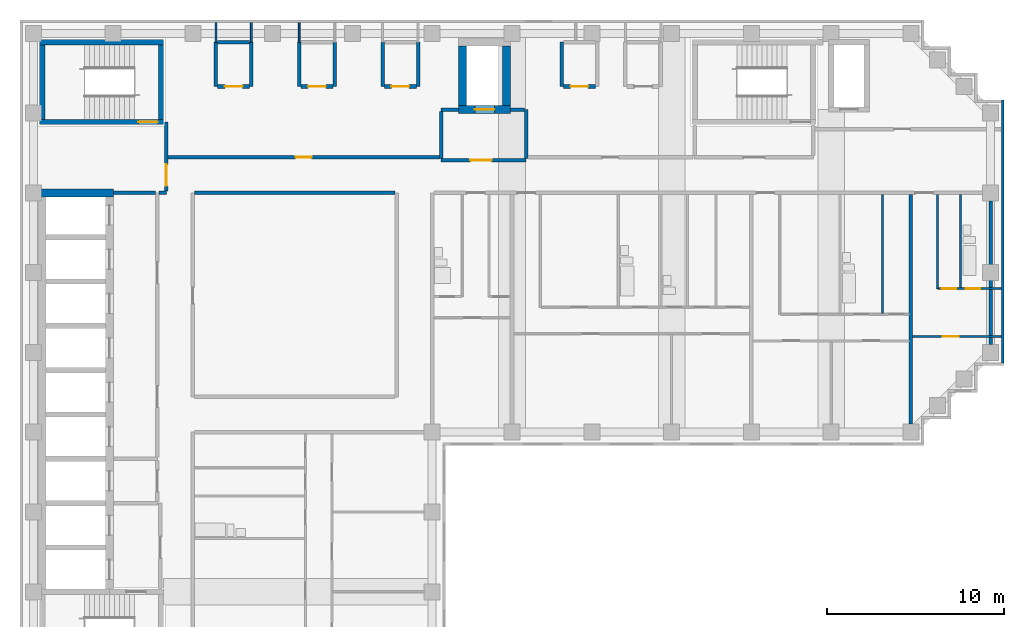
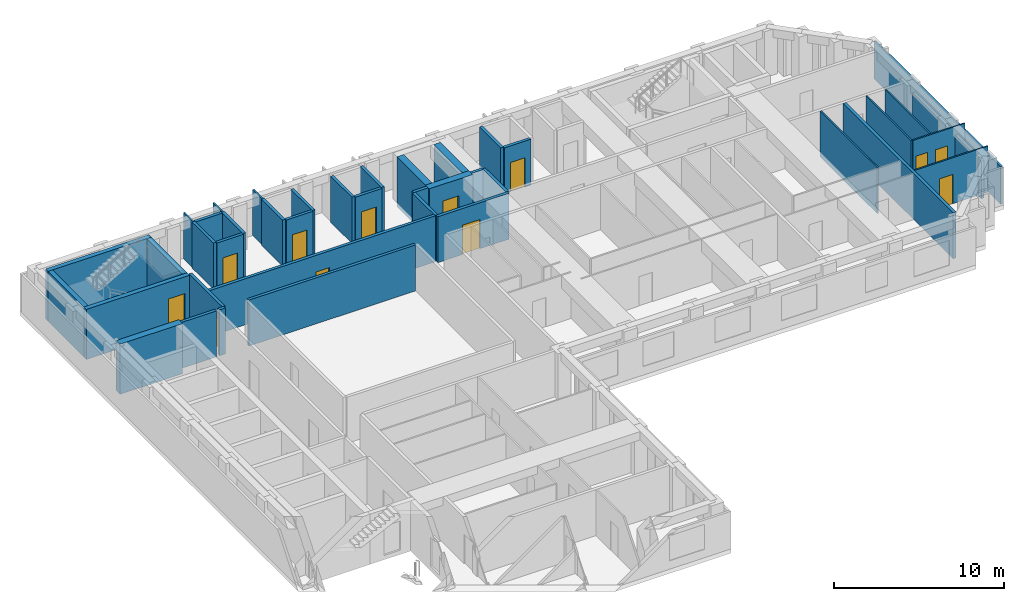
# One storey, part 5 of 9: 41 walls, 12 doors, 12 openings.
"""IFC4 building model written with IfcOpenShell, lengths in metres."""

from ifc_helpers import new_model, si_unit, direction, frame, frame_2d, origin, place, context, subcontext, project, spatial, rectangle, extrude, material, layer, layer_set, type_object, element, fill, save


model = new_model("IFC4")

# Units and contexts
model_context = context("Model", 3, precision=1e-05, world=origin(), true_north=direction((0.0, 1.0)))
body_context = subcontext(model_context, "Body", "Model", "MODEL_VIEW")
ifc_project = project(units=[si_unit("LENGTHUNIT", "METRE"), si_unit("AREAUNIT", "SQUARE_METRE"), si_unit("VOLUMEUNIT", "CUBIC_METRE"), si_unit("PLANEANGLEUNIT", "RADIAN"), si_unit("MASSUNIT", "GRAM", prefix="KILO")], contexts=[model_context])

# Site, building, storey
site_placement = place(None, origin())
site = spatial("IfcSite", under=ifc_project, at=site_placement, CompositionType="ELEMENT")
building_placement = place(site_placement, origin())
building = spatial("IfcBuilding", under=site, at=building_placement, Name="Firuza Court", CompositionType="ELEMENT")
storey_placement = place(building_placement, frame((0.0, 0.0, 218.60009765625)))
storey = spatial("IfcBuildingStorey", under=building, at=storey_placement, Name="L56", CompositionType="ELEMENT", Elevation=218.60009765625)

# Walls
ifc_material_1 = material(Name="Moisture-resistant gypsum board partition")
ifc_layer_1 = layer(ifc_material_1, 0.10009765625)
ifc_layer_set_1 = layer_set([ifc_layer_1], Name="Moisture-resistant gypsum board partition")
wall_type_1 = type_object("IfcWallType", Name="Bathroom partition 100", PredefinedType="PLUMBINGWALL", material=ifc_layer_set_1)
wall_1_placement = place(storey_placement, frame((47.89990234375, 42.699951171875, 0.0), z_axis=(0.0, 0.0, 1.0), x_axis=(0.0, 1.0, 0.0)))
element("IfcWall", 1, at=wall_1_placement, inside=storey, type_object=wall_type_1, Name="Bathroom partition 100 L56", PredefinedType="PLUMBINGWALL", context=body_context, shape_type="SweptSolid", body=[
    extrude(rectangle(XDim=6.699951171875, YDim=0.10009765625, at=frame_2d((3.35009765625, 0.0))), origin(), (0.0, 0.0, 1.0), 3.2998046875),
])
wall_2_placement = place(storey_placement, frame((52.300048828125, 44.14990234375, 0.0), z_axis=(0.0, 0.0, 1.0), x_axis=(0.0, 1.0, 0.0)))
element("IfcWall", 2, at=wall_2_placement, inside=storey, type_object=wall_type_1, Name="Bathroom partition 100 L56", PredefinedType="PLUMBINGWALL", context=body_context, shape_type="SweptSolid", body=[
    extrude(rectangle(XDim=5.25, YDim=0.10009765625, at=frame_2d((2.625, 0.0))), origin(), (0.0, 0.0, 1.0), 3.2998046875),
])

# Wall, opening, door
ifc_material_2 = material(Name="Concrete C50/60", Category="concrete")
ifc_layer_2 = layer(ifc_material_2, 0.300048828125)
ifc_layer_set_2 = layer_set([ifc_layer_2], Name="Concrete C50/60")
wall_type_2 = type_object("IfcWallType", Name="Core wall 300 C50/60", PredefinedType="SHEAR", material=ifc_layer_set_2)
wall_3_placement = place(storey_placement, frame((0.35009765625, 53.5, -0.300048828125), z_axis=(0.0, 0.0, 1.0), x_axis=(1.0, 0.0, 0.0)))
wall_3 = element("IfcWall", 3, at=wall_3_placement, inside=storey, type_object=wall_type_2, Name="Core wall stair L56", PredefinedType="SHEAR", context=body_context, shape_type="SweptSolid", body=[
    extrude(rectangle(XDim=7.0, YDim=0.300048828125, at=frame_2d((3.5, 0.0))), origin(), (0.0, 0.0, 1.0), 3.599853515625),
])
opening_1_placement = place(wall_3_placement, frame((5.580078125, 0.0, 0.300048828125)))
opening_1 = element("IfcOpeningElement", 4, at=opening_1_placement, cuts=wall_3, Name="Opening D56012", PredefinedType="OPENING", context=body_context, shape_type="SweptSolid", body=[
    extrude(rectangle(XDim=1.10009765625, YDim=2.10009765625, at=frame_2d((0.550048828125, 1.050048828125))), frame((0.0, 0.162109375, 0.0), z_axis=(0.0, -1.0, 0.0), x_axis=(1.0, 0.0, 0.0)), (0.0, 0.0, 1.0), 0.323974609375),
])
ifc_material_3 = material(Name="Timber door leaf in hardwood frame", Category="wood")
door_type_1 = type_object("IfcDoorType", Name="Stair door 1100", OperationType="SINGLE_SWING_LEFT", PredefinedType="DOOR", material=ifc_material_3)
door_1_placement = place(opening_1_placement, origin())
door_1 = element("IfcDoor", 5, at=door_1_placement, inside=storey, type_object=door_type_1, Name="Stair door S3", OperationType="SINGLE_SWING_RIGHT", OverallHeight=2.10009765625, OverallWidth=1.10009765625, PredefinedType="DOOR", context=body_context, shape_type="SweptSolid", body=[
    extrude(rectangle(XDim=1.10009765625, YDim=2.10009765625, at=frame_2d((0.550048828125, 1.050048828125))), frame((0.0, 0.02490234375, 0.0), z_axis=(0.0, -1.0, 0.0), x_axis=(1.0, 0.0, 0.0)), (0.0, 0.0, 1.0), 0.050048828125),
])
fill(opening_1, door_1)

# Walls
wall_4_placement = place(storey_placement, frame((0.35009765625, 58.0, -0.300048828125), z_axis=(0.0, 0.0, 1.0), x_axis=(1.0, 0.0, 0.0)))
element("IfcWall", 6, at=wall_4_placement, inside=storey, type_object=wall_type_2, Name="Core wall stair L56", PredefinedType="SHEAR", context=body_context, shape_type="SweptSolid", body=[
    extrude(rectangle(XDim=7.0, YDim=0.300048828125, at=frame_2d((3.5, 0.0))), origin(), (0.0, 0.0, 1.0), 3.599853515625),
])
for number, where, z_axis, x_axis, name in (
    (7, (0.5, 53.64990234375, -0.300048828125), (0.0, 0.0, 1.0), (0.0, 1.0, 0.0), "Core wall stair L56"),
    (8, (7.199951171875, 53.64990234375, -0.300048828125), (0.0, 0.0, 1.0), (0.0, 1.0, 0.0), "Core wall stair L56"),
):
    element("IfcWall", number, at=place(storey_placement, frame(where, z_axis=z_axis, x_axis=x_axis)), inside=storey, type_object=wall_type_2, Name=name, PredefinedType="SHEAR", context=body_context, shape_type="SweptSolid", body=[
        extrude(rectangle(XDim=4.2001953125, YDim=0.300048828125, at=frame_2d((2.10009765625, 0.0))), origin(), (0.0, 0.0, 1.0), 3.599853515625),
    ])
ifc_layer_3 = layer(ifc_material_2, 0.449951171875)
ifc_layer_set_3 = layer_set([ifc_layer_3], Name="Concrete C50/60")
wall_type_3 = type_object("IfcWallType", Name="Core wall 450 C50/60", PredefinedType="SHEAR", material=ifc_layer_set_3)
wall_5_placement = place(storey_placement, frame((0.27490234375, 49.5, -0.300048828125), z_axis=(0.0, 0.0, 1.0), x_axis=(1.0, 0.0, 0.0)))
element("IfcWall", 9, at=wall_5_placement, inside=storey, type_object=wall_type_3, Name="Core wall lift shaft L56", PredefinedType="SHEAR", context=body_context, shape_type="SweptSolid", body=[
    extrude(rectangle(XDim=4.25, YDim=0.449951171875, at=frame_2d((2.125, 0.0))), origin(), (0.0, 0.0, 1.0), 3.599853515625),
])

# Wall, opening, door
wall_6_placement = place(storey_placement, frame((23.97509765625, 54.199951171875, -0.300048828125), z_axis=(0.0, 0.0, 1.0), x_axis=(1.0, 0.0, 0.0)))
wall_6 = element("IfcWall", 10, at=wall_6_placement, inside=storey, type_object=wall_type_3, Name="Core wall lift shaft L56", PredefinedType="SHEAR", context=body_context, shape_type="SweptSolid", body=[
    extrude(rectangle(XDim=2.949951171875, YDim=0.449951171875, at=frame_2d((1.47509765625, 0.0))), origin(), (0.0, 0.0, 1.0), 3.599853515625),
])
opening_2_placement = place(wall_6_placement, frame((0.925048828125, 0.0, 0.300048828125)))
opening_2 = element("IfcOpeningElement", 11, at=opening_2_placement, cuts=wall_6, Name="Opening LD-FL3-56", PredefinedType="OPENING", context=body_context, shape_type="SweptSolid", body=[
    extrude(rectangle(XDim=1.10009765625, YDim=2.10009765625, at=frame_2d((0.550048828125, 1.050048828125))), frame((0.0, 0.23681640625, 0.0), z_axis=(0.0, -1.0, 0.0), x_axis=(1.0, 0.0, 0.0)), (0.0, 0.0, 1.0), 0.473876953125),
])
ifc_material_4 = material(Name="Stainless steel 1.4301 door leaf", Category="steel")
door_type_2 = type_object("IfcDoorType", Name="Lift landing door 1100", OperationType="SLIDING_TO_LEFT", PredefinedType="DOOR", material=ifc_material_4)
door_2_placement = place(opening_2_placement, origin())
door_2 = element("IfcDoor", 12, at=door_2_placement, inside=storey, type_object=door_type_2, Name="Landing door FL3", OperationType="SLIDING_TO_LEFT", OverallHeight=2.10009765625, OverallWidth=1.10009765625, PredefinedType="DOOR", context=body_context, shape_type="SweptSolid", body=[
    extrude(rectangle(XDim=1.10009765625, YDim=2.10009765625, at=frame_2d((0.550048828125, 1.050048828125))), frame((0.0, 0.02490234375, 0.0), z_axis=(0.0, -1.0, 0.0), x_axis=(1.0, 0.0, 0.0)), (0.0, 0.0, 1.0), 0.050048828125),
])
fill(opening_2, door_2)

# Walls
for number, where, z_axis, x_axis, name in (
    (13, (24.199951171875, 54.425048828125, -0.300048828125), (0.0, 0.0, 1.0), (0.0, 1.0, 0.0), "Core wall lift shaft L56"),
    (14, (26.699951171875, 54.425048828125, -0.300048828125), (0.0, 0.0, 1.0), (0.0, 1.0, 0.0), "Core wall lift shaft L56"),
):
    element("IfcWall", number, at=place(storey_placement, frame(where, z_axis=z_axis, x_axis=x_axis)), inside=storey, type_object=wall_type_3, Name=name, PredefinedType="SHEAR", context=body_context, shape_type="SweptSolid", body=[
        extrude(rectangle(XDim=3.349853515625, YDim=0.449951171875, at=frame_2d((1.6748046875, 0.0))), origin(), (0.0, 0.0, 1.0), 3.599853515625),
    ])
ifc_material_5 = material(Name="Blockwork, plastered both sides", Category="masonry")
ifc_layer_4 = layer(ifc_material_5, 0.199951171875)
ifc_layer_set_4 = layer_set([ifc_layer_4], Name="Blockwork, plastered both sides")
wall_type_4 = type_object("IfcWallType", Name="Corridor wall 200", PredefinedType="PARTITIONING", material=ifc_layer_set_4)
wall_7_placement = place(storey_placement, frame((9.10009765625, 49.5, 0.0), z_axis=(0.0, 0.0, 1.0), x_axis=(1.0, 0.0, 0.0)))
element("IfcWall", 15, at=wall_7_placement, inside=storey, type_object=wall_type_4, Name="Corridor wall 200 L56", PredefinedType="PARTITIONING", context=body_context, shape_type="SweptSolid", body=[
    extrude(rectangle(XDim=11.2998046875, YDim=0.199951171875, at=frame_2d((5.64990234375, 0.0))), origin(), (0.0, 0.0, 1.0), 3.2998046875),
])

# Wall, opening, door
wall_8_placement = place(storey_placement, frame((7.60009765625, 51.5, 0.0), z_axis=(0.0, 0.0, 1.0), x_axis=(1.0, 0.0, 0.0)))
wall_8 = element("IfcWall", 16, at=wall_8_placement, inside=storey, type_object=wall_type_4, Name="Corridor wall 200 L56", PredefinedType="PARTITIONING", context=body_context, shape_type="SweptSolid", body=[
    extrude(rectangle(XDim=15.2998046875, YDim=0.199951171875, at=frame_2d((7.64990234375, 0.0))), origin(), (0.0, 0.0, 1.0), 3.2998046875),
])
opening_3_placement = place(wall_8_placement, frame((7.199951171875, 0.0, 0.0)))
opening_3 = element("IfcOpeningElement", 17, at=opening_3_placement, cuts=wall_8, Name="Opening D56049", PredefinedType="OPENING", context=body_context, shape_type="SweptSolid", body=[
    extrude(rectangle(XDim=0.89990234375, YDim=2.10009765625, at=frame_2d((0.449951171875, 1.050048828125))), frame((0.0, 0.11181640625, 0.0), z_axis=(0.0, -1.0, 0.0), x_axis=(1.0, 0.0, 0.0)), (0.0, 0.0, 1.0), 0.223876953125),
])
ifc_material_6 = material(Name="Timber door leaf in hardwood frame", Category="wood")
door_type_3 = type_object("IfcDoorType", Name="Room door 900 EI 30", OperationType="SINGLE_SWING_LEFT", PredefinedType="DOOR", material=ifc_material_6)
door_3_placement = place(opening_3_placement, origin())
door_3 = element("IfcDoor", 18, at=door_3_placement, inside=storey, type_object=door_type_3, Name="Residents' workroom door", OperationType="SINGLE_SWING_LEFT", OverallHeight=2.10009765625, OverallWidth=0.89990234375, PredefinedType="DOOR", context=body_context, shape_type="SweptSolid", body=[
    extrude(rectangle(XDim=0.89990234375, YDim=2.10009765625, at=frame_2d((0.449951171875, 1.050048828125))), frame((0.0, 0.02490234375, 0.0), z_axis=(0.0, -1.0, 0.0), x_axis=(1.0, 0.0, 0.0)), (0.0, 0.0, 1.0), 0.050048828125),
])
fill(opening_3, door_3)

ifc_material_7 = material(Name="Timber stud partition, plasterboard both sides", Category="wood")
ifc_layer_5 = layer(ifc_material_7, 0.10009765625)
ifc_layer_set_5 = layer_set([ifc_layer_5], Name="Timber stud partition, plasterboard both sides")
wall_type_5 = type_object("IfcWallType", Name="Partition wall 100", PredefinedType="PARTITIONING", material=ifc_layer_set_5)
wall_9_placement = place(storey_placement, frame((49.60009765625, 41.39990234375, 0.0), z_axis=(0.0, 0.0, 1.0), x_axis=(1.0, 0.0, 0.0)))
wall_9 = element("IfcWall", 19, at=wall_9_placement, inside=storey, type_object=wall_type_5, Name="Partition wall 100 L56", PredefinedType="PARTITIONING", context=body_context, shape_type="SweptSolid", body=[
    extrude(rectangle(XDim=5.0, YDim=0.10009765625, at=frame_2d((2.5, 0.0))), origin(), (0.0, 0.0, 1.0), 3.2998046875),
])
opening_4_placement = place(wall_9_placement, frame((1.699951171875, 0.0, 0.0)))
opening_4 = element("IfcOpeningElement", 20, at=opening_4_placement, cuts=wall_9, Name="Opening D56029", PredefinedType="OPENING", context=body_context, shape_type="SweptSolid", body=[
    extrude(rectangle(XDim=0.89990234375, YDim=2.10009765625, at=frame_2d((0.449951171875, 1.050048828125))), frame((0.0, 0.06201171875, 0.0), z_axis=(0.0, -1.0, 0.0), x_axis=(1.0, 0.0, 0.0)), (0.0, 0.0, 1.0), 0.1240234375),
])
ifc_material_8 = material(Name="Timber door leaf in hardwood frame", Category="wood")
door_type_4 = type_object("IfcDoorType", Name="Room door 900", OperationType="SINGLE_SWING_LEFT", PredefinedType="DOOR", material=ifc_material_8)
door_4_placement = place(opening_4_placement, frame((0.89990234375, 0.0, 0.0), z_axis=(0.0, 0.0, 1.0), x_axis=(-1.0, 0.0, 0.0)))
door_4 = element("IfcDoor", 21, at=door_4_placement, inside=storey, type_object=door_type_4, Name="Studio room door", OperationType="SINGLE_SWING_RIGHT", OverallHeight=2.10009765625, OverallWidth=0.89990234375, PredefinedType="DOOR", context=body_context, shape_type="SweptSolid", body=[
    extrude(rectangle(XDim=0.89990234375, YDim=2.10009765625, at=frame_2d((0.449951171875, 1.050048828125))), frame((0.0, 0.02490234375, 0.0), z_axis=(0.0, -1.0, 0.0), x_axis=(1.0, 0.0, 0.0)), (0.0, 0.0, 1.0), 0.050048828125),
])
fill(opening_4, door_4)

# Wall
wall_10_placement = place(storey_placement, frame((51.0, 44.10009765625, 0.0), z_axis=(0.0, 0.0, 1.0), x_axis=(0.0, 1.0, 0.0)))
element("IfcWall", 22, at=wall_10_placement, inside=storey, type_object=wall_type_5, Name="Partition wall 100 L56", PredefinedType="PARTITIONING", context=body_context, shape_type="SweptSolid", body=[
    extrude(rectangle(XDim=5.2998046875, YDim=0.10009765625, at=frame_2d((2.64990234375, 0.0))), origin(), (0.0, 0.0, 1.0), 3.2998046875),
])

# Wall, openings, doors
wall_11_placement = place(storey_placement, frame((51.050048828125, 44.10009765625, 0.0), z_axis=(0.0, 0.0, 1.0), x_axis=(1.0, 0.0, 0.0)))
wall_11 = element("IfcWall", 23, at=wall_11_placement, inside=storey, type_object=wall_type_5, Name="Partition wall 100 L56", PredefinedType="PARTITIONING", context=body_context, shape_type="SweptSolid", body=[
    extrude(rectangle(XDim=3.550048828125, YDim=0.10009765625, at=frame_2d((1.77490234375, 0.0))), origin(), (0.0, 0.0, 1.0), 3.2998046875),
])
opening_5_placement = place(wall_11_placement, frame((1.550048828125, 0.0, 0.0)))
opening_5 = element("IfcOpeningElement", 24, at=opening_5_placement, cuts=wall_11, Name="Opening D56043", PredefinedType="OPENING", context=body_context, shape_type="SweptSolid", body=[
    extrude(rectangle(XDim=0.800048828125, YDim=2.10009765625, at=frame_2d((0.39990234375, 1.050048828125))), frame((0.0, 0.06201171875, 0.0), z_axis=(0.0, -1.0, 0.0), x_axis=(1.0, 0.0, 0.0)), (0.0, 0.0, 1.0), 0.1240234375),
])
opening_6_placement = place(wall_11_placement, frame((0.199951171875, 0.0, 0.0)))
opening_6 = element("IfcOpeningElement", 25, at=opening_6_placement, cuts=wall_11, Name="Opening D56044", PredefinedType="OPENING", context=body_context, shape_type="SweptSolid", body=[
    extrude(rectangle(XDim=0.800048828125, YDim=2.10009765625, at=frame_2d((0.39990234375, 1.050048828125))), frame((0.0, 0.06201171875, 0.0), z_axis=(0.0, -1.0, 0.0), x_axis=(1.0, 0.0, 0.0)), (0.0, 0.0, 1.0), 0.1240234375),
])
ifc_material_9 = material(Name="Timber door leaf in hardwood frame", Category="wood")
door_type_5 = type_object("IfcDoorType", Name="Bathroom door 800", OperationType="SINGLE_SWING_LEFT", PredefinedType="DOOR", material=ifc_material_9)
door_5_placement = place(opening_5_placement, origin())
door_5 = element("IfcDoor", 26, at=door_5_placement, inside=storey, type_object=door_type_5, Name="Bathroom door", OperationType="SINGLE_SWING_LEFT", OverallHeight=2.10009765625, OverallWidth=0.800048828125, PredefinedType="DOOR", context=body_context, shape_type="SweptSolid", body=[
    extrude(rectangle(XDim=0.800048828125, YDim=2.10009765625, at=frame_2d((0.39990234375, 1.050048828125))), frame((0.0, 0.02490234375, 0.0), z_axis=(0.0, -1.0, 0.0), x_axis=(1.0, 0.0, 0.0)), (0.0, 0.0, 1.0), 0.050048828125),
])
fill(opening_5, door_5)
ifc_material_10 = material(Name="Timber door leaf in hardwood frame", Category="wood")
door_type_6 = type_object("IfcDoorType", Name="Room door 800", OperationType="SINGLE_SWING_LEFT", PredefinedType="DOOR", material=ifc_material_10)
door_6_placement = place(opening_6_placement, origin())
door_6 = element("IfcDoor", 27, at=door_6_placement, inside=storey, type_object=door_type_6, Name="Kitchen door", OperationType="SINGLE_SWING_LEFT", OverallHeight=2.10009765625, OverallWidth=0.800048828125, PredefinedType="DOOR", context=body_context, shape_type="SweptSolid", body=[
    extrude(rectangle(XDim=0.800048828125, YDim=2.10009765625, at=frame_2d((0.39990234375, 1.050048828125))), frame((0.0, 0.02490234375, 0.0), z_axis=(0.0, -1.0, 0.0), x_axis=(1.0, 0.0, 0.0)), (0.0, 0.0, 1.0), 0.050048828125),
])
fill(opening_6, door_6)

# Walls
for number, where, z_axis, x_axis, name in (
    (28, (10.300048828125, 58.0, 0.0), (0.0, 0.0, 1.0), (0.0, 1.0, 0.0), "Partition wall 100 L56"),
    (29, (12.300048828125, 58.0, 0.0), (0.0, 0.0, 1.0), (0.0, 1.0, 0.0), "Partition wall 100 L56"),
    (30, (15.0, 58.0, 0.0), (0.0, 0.0, 1.0), (0.0, 1.0, 0.0), "Partition wall 100 L56"),
):
    element("IfcWall", number, at=place(storey_placement, frame(where, z_axis=z_axis, x_axis=x_axis)), inside=storey, type_object=wall_type_5, Name=name, PredefinedType="PARTITIONING", context=body_context, shape_type="SweptSolid", body=[
        extrude(rectangle(XDim=1.10009765625, YDim=0.10009765625, at=frame_2d((0.550048828125, 0.0))), origin(), (0.0, 0.0, 1.0), 3.2998046875),
    ])
ifc_layer_6 = layer(ifc_material_5, 0.199951171875)
ifc_layer_set_6 = layer_set([ifc_layer_6], Name="Blockwork, plastered both sides")
wall_type_6 = type_object("IfcWallType", Name="Party wall 200", PredefinedType="PARTITIONING", material=ifc_layer_set_6)
wall_12_placement = place(storey_placement, frame((49.5, 36.449951171875, 0.0), z_axis=(0.0, 0.0, 1.0), x_axis=(0.0, 1.0, 0.0)))
element("IfcWall", 31, at=wall_12_placement, inside=storey, type_object=wall_type_6, Name="Party wall 200 L56", PredefinedType="PARTITIONING", context=body_context, shape_type="SweptSolid", body=[
    extrude(rectangle(XDim=12.949951171875, YDim=0.199951171875, at=frame_2d((6.47509765625, 0.0))), origin(), (0.0, 0.0, 1.0), 3.2998046875),
])
wall_13_placement = place(storey_placement, frame((54.0, 40.949951171875, 0.0), z_axis=(0.0, 0.0, 1.0), x_axis=(0.0, 1.0, 0.0)))
element("IfcWall", 32, at=wall_13_placement, inside=storey, type_object=wall_type_6, Name="Party wall 200 L56", PredefinedType="PARTITIONING", context=body_context, shape_type="SweptSolid", body=[
    extrude(rectangle(XDim=8.10009765625, YDim=0.199951171875, at=frame_2d((4.050048828125, 0.0))), origin(), (0.0, 0.0, 1.0), 2.699951171875),
])
ifc_material_11 = material(Name="Blockwork, fire-rated", Category="masonry")
ifc_layer_7 = layer(ifc_material_11, 0.199951171875)
ifc_layer_set_7 = layer_set([ifc_layer_7], Name="Blockwork, fire-rated")
wall_type_7 = type_object("IfcWallType", Name="Plant room wall 200", PredefinedType="PARTITIONING", material=ifc_layer_set_7)
wall_14_placement = place(storey_placement, frame((10.300048828125, 55.5, 0.0), z_axis=(0.0, 0.0, 1.0), x_axis=(0.0, 1.0, 0.0)))
element("IfcWall", 33, at=wall_14_placement, inside=storey, type_object=wall_type_7, Name="Plant room wall 200 L56", PredefinedType="PARTITIONING", context=body_context, shape_type="SweptSolid", body=[
    extrude(rectangle(XDim=2.5, YDim=0.199951171875, at=frame_2d((1.25, 0.0))), origin(), (0.0, 0.0, 1.0), 3.2998046875),
])

# Wall, opening, door
wall_15_placement = place(storey_placement, frame((10.39990234375, 55.5, 0.0), z_axis=(0.0, 0.0, 1.0), x_axis=(1.0, 0.0, 0.0)))
wall_15 = element("IfcWall", 34, at=wall_15_placement, inside=storey, type_object=wall_type_7, Name="Plant room wall 200 L56", PredefinedType="PARTITIONING", context=body_context, shape_type="SweptSolid", body=[
    extrude(rectangle(XDim=1.800048828125, YDim=0.199951171875, at=frame_2d((0.89990234375, 0.0))), origin(), (0.0, 0.0, 1.0), 3.2998046875),
])
opening_7_placement = place(wall_15_placement, frame((0.39990234375, 0.0, 0.0)))
opening_7 = element("IfcOpeningElement", 35, at=opening_7_placement, cuts=wall_15, Name="Opening D56052", PredefinedType="OPENING", context=body_context, shape_type="SweptSolid", body=[
    extrude(rectangle(XDim=1.0, YDim=2.10009765625, at=frame_2d((0.5, 1.050048828125))), frame((0.0, 0.11181640625, 0.0), z_axis=(0.0, -1.0, 0.0), x_axis=(1.0, 0.0, 0.0)), (0.0, 0.0, 1.0), 0.223876953125),
])
ifc_material_12 = material(Name="Timber door leaf in hardwood frame", Category="wood")
door_type_7 = type_object("IfcDoorType", Name="Riser door 1000", OperationType="SINGLE_SWING_LEFT", PredefinedType="DOOR", material=ifc_material_12)
door_7_placement = place(opening_7_placement, origin())
door_7 = element("IfcDoor", 36, at=door_7_placement, inside=storey, type_object=door_type_7, Name="Comms riser door", OperationType="SINGLE_SWING_LEFT", OverallHeight=2.10009765625, OverallWidth=1.0, PredefinedType="DOOR", context=body_context, shape_type="SweptSolid", body=[
    extrude(rectangle(XDim=1.0, YDim=2.10009765625, at=frame_2d((0.5, 1.050048828125))), frame((0.0, 0.02490234375, 0.0), z_axis=(0.0, -1.0, 0.0), x_axis=(1.0, 0.0, 0.0)), (0.0, 0.0, 1.0), 0.050048828125),
])
fill(opening_7, door_7)

# Walls
for number, where, z_axis, x_axis, name in (
    (37, (12.300048828125, 55.5, 0.0), (0.0, 0.0, 1.0), (0.0, 1.0, 0.0), "Plant room wall 200 L56"),
    (38, (15.0, 55.5, 0.0), (0.0, 0.0, 1.0), (0.0, 1.0, 0.0), "Plant room wall 200 L56"),
):
    element("IfcWall", number, at=place(storey_placement, frame(where, z_axis=z_axis, x_axis=x_axis)), inside=storey, type_object=wall_type_7, Name=name, PredefinedType="PARTITIONING", context=body_context, shape_type="SweptSolid", body=[
        extrude(rectangle(XDim=2.5, YDim=0.199951171875, at=frame_2d((1.25, 0.0))), origin(), (0.0, 0.0, 1.0), 3.2998046875),
    ])

# Wall, opening, door
wall_16_placement = place(storey_placement, frame((15.10009765625, 55.5, 0.0), z_axis=(0.0, 0.0, 1.0), x_axis=(1.0, 0.0, 0.0)))
wall_16 = element("IfcWall", 39, at=wall_16_placement, inside=storey, type_object=wall_type_7, Name="Plant room wall 200 L56", PredefinedType="PARTITIONING", context=body_context, shape_type="SweptSolid", body=[
    extrude(rectangle(XDim=1.7998046875, YDim=0.199951171875, at=frame_2d((0.89990234375, 0.0))), origin(), (0.0, 0.0, 1.0), 3.2998046875),
])
opening_8_placement = place(wall_16_placement, frame((0.39990234375, 0.0, 0.0)))
opening_8 = element("IfcOpeningElement", 40, at=opening_8_placement, cuts=wall_16, Name="Opening D56053", PredefinedType="OPENING", context=body_context, shape_type="SweptSolid", body=[
    extrude(rectangle(XDim=1.0, YDim=2.10009765625, at=frame_2d((0.5, 1.050048828125))), frame((0.0, 0.11181640625, 0.0), z_axis=(0.0, -1.0, 0.0), x_axis=(1.0, 0.0, 0.0)), (0.0, 0.0, 1.0), 0.223876953125),
])
door_8_placement = place(opening_8_placement, origin())
door_8 = element("IfcDoor", 41, at=door_8_placement, inside=storey, type_object=door_type_7, Name="Electrical riser door", OperationType="SINGLE_SWING_LEFT", OverallHeight=2.10009765625, OverallWidth=1.0, PredefinedType="DOOR", context=body_context, shape_type="SweptSolid", body=[
    extrude(rectangle(XDim=1.0, YDim=2.10009765625, at=frame_2d((0.5, 1.050048828125))), frame((0.0, 0.02490234375, 0.0), z_axis=(0.0, -1.0, 0.0), x_axis=(1.0, 0.0, 0.0)), (0.0, 0.0, 1.0), 0.050048828125),
])
fill(opening_8, door_8)

# Walls
for number, where, z_axis, x_axis, name in (
    (42, (17.0, 55.5, 0.0), (0.0, 0.0, 1.0), (0.0, 1.0, 0.0), "Plant room wall 200 L56"),
    (43, (19.699951171875, 55.5, 0.0), (0.0, 0.0, 1.0), (0.0, 1.0, 0.0), "Plant room wall 200 L56"),
):
    element("IfcWall", number, at=place(storey_placement, frame(where, z_axis=z_axis, x_axis=x_axis)), inside=storey, type_object=wall_type_7, Name=name, PredefinedType="PARTITIONING", context=body_context, shape_type="SweptSolid", body=[
        extrude(rectangle(XDim=2.5, YDim=0.199951171875, at=frame_2d((1.25, 0.0))), origin(), (0.0, 0.0, 1.0), 3.2998046875),
    ])

# Wall, opening, door
wall_17_placement = place(storey_placement, frame((19.800048828125, 55.5, 0.0), z_axis=(0.0, 0.0, 1.0), x_axis=(1.0, 0.0, 0.0)))
wall_17 = element("IfcWall", 44, at=wall_17_placement, inside=storey, type_object=wall_type_7, Name="Plant room wall 200 L56", PredefinedType="PARTITIONING", context=body_context, shape_type="SweptSolid", body=[
    extrude(rectangle(XDim=1.800048828125, YDim=0.199951171875, at=frame_2d((0.89990234375, 0.0))), origin(), (0.0, 0.0, 1.0), 3.2998046875),
])
opening_9_placement = place(wall_17_placement, frame((0.39990234375, 0.0, 0.0)))
opening_9 = element("IfcOpeningElement", 45, at=opening_9_placement, cuts=wall_17, Name="Opening D56054", PredefinedType="OPENING", context=body_context, shape_type="SweptSolid", body=[
    extrude(rectangle(XDim=1.0, YDim=2.10009765625, at=frame_2d((0.5, 1.050048828125))), frame((0.0, 0.11181640625, 0.0), z_axis=(0.0, -1.0, 0.0), x_axis=(1.0, 0.0, 0.0)), (0.0, 0.0, 1.0), 0.223876953125),
])
door_9_placement = place(opening_9_placement, origin())
door_9 = element("IfcDoor", 46, at=door_9_placement, inside=storey, type_object=door_type_7, Name="Duct riser door", OperationType="SINGLE_SWING_LEFT", OverallHeight=2.10009765625, OverallWidth=1.0, PredefinedType="DOOR", context=body_context, shape_type="SweptSolid", body=[
    extrude(rectangle(XDim=1.0, YDim=2.10009765625, at=frame_2d((0.5, 1.050048828125))), frame((0.0, 0.02490234375, 0.0), z_axis=(0.0, -1.0, 0.0), x_axis=(1.0, 0.0, 0.0)), (0.0, 0.0, 1.0), 0.050048828125),
])
fill(opening_9, door_9)

# Walls
for number, where, z_axis, x_axis, name in (
    (47, (21.699951171875, 55.5, 0.0), (0.0, 0.0, 1.0), (0.0, 1.0, 0.0), "Plant room wall 200 L56"),
    (48, (29.800048828125, 55.5, 0.0), (0.0, 0.0, 1.0), (0.0, 1.0, 0.0), "Plant room wall 200 L56"),
):
    element("IfcWall", number, at=place(storey_placement, frame(where, z_axis=z_axis, x_axis=x_axis)), inside=storey, type_object=wall_type_7, Name=name, PredefinedType="PARTITIONING", context=body_context, shape_type="SweptSolid", body=[
        extrude(rectangle(XDim=2.5, YDim=0.199951171875, at=frame_2d((1.25, 0.0))), origin(), (0.0, 0.0, 1.0), 3.2998046875),
    ])

# Wall, opening, door
wall_18_placement = place(storey_placement, frame((29.89990234375, 55.5, 0.0), z_axis=(0.0, 0.0, 1.0), x_axis=(1.0, 0.0, 0.0)))
wall_18 = element("IfcWall", 49, at=wall_18_placement, inside=storey, type_object=wall_type_7, Name="Plant room wall 200 L56", PredefinedType="PARTITIONING", context=body_context, shape_type="SweptSolid", body=[
    extrude(rectangle(XDim=1.800048828125, YDim=0.199951171875, at=frame_2d((0.89990234375, 0.0))), origin(), (0.0, 0.0, 1.0), 3.2998046875),
])
opening_10_placement = place(wall_18_placement, frame((0.39990234375, 0.0, 0.0)))
opening_10 = element("IfcOpeningElement", 50, at=opening_10_placement, cuts=wall_18, Name="Opening D56055", PredefinedType="OPENING", context=body_context, shape_type="SweptSolid", body=[
    extrude(rectangle(XDim=1.0, YDim=2.10009765625, at=frame_2d((0.5, 1.050048828125))), frame((0.0, 0.11181640625, 0.0), z_axis=(0.0, -1.0, 0.0), x_axis=(1.0, 0.0, 0.0)), (0.0, 0.0, 1.0), 0.223876953125),
])
door_10_placement = place(opening_10_placement, origin())
door_10 = element("IfcDoor", 51, at=door_10_placement, inside=storey, type_object=door_type_7, Name="Electrical riser door", OperationType="SINGLE_SWING_LEFT", OverallHeight=2.10009765625, OverallWidth=1.0, PredefinedType="DOOR", context=body_context, shape_type="SweptSolid", body=[
    extrude(rectangle(XDim=1.0, YDim=2.10009765625, at=frame_2d((0.5, 1.050048828125))), frame((0.0, 0.02490234375, 0.0), z_axis=(0.0, -1.0, 0.0), x_axis=(1.0, 0.0, 0.0)), (0.0, 0.0, 1.0), 0.050048828125),
])
fill(opening_10, door_10)

# Walls
wall_19_placement = place(storey_placement, frame((10.39990234375, 58.0, 0.0), z_axis=(0.0, 0.0, 1.0), x_axis=(1.0, 0.0, 0.0)))
element("IfcWall", 52, at=wall_19_placement, inside=storey, type_object=wall_type_7, Name="Plant room wall 200 L56", PredefinedType="PARTITIONING", context=body_context, shape_type="SweptSolid", body=[
    extrude(rectangle(XDim=1.800048828125, YDim=0.199951171875, at=frame_2d((0.89990234375, 0.0))), origin(), (0.0, 0.0, 1.0), 3.2998046875),
])
ifc_material_13 = material(Name="Ceramic tile", Category="ceramic")
ifc_layer_8 = layer(ifc_material_13, 0.02001953125)
ifc_material_14 = material(Name="Mineral wool insulation", Category="insulation")
ifc_layer_9 = layer(ifc_material_14, 0.050048828125)
ifc_material_15 = material(Name="Concrete C40/50 precast", Category="concrete")
ifc_layer_10 = layer(ifc_material_15, 0.080078125)
ifc_layer_set_8 = layer_set([ifc_layer_8, ifc_layer_9, ifc_layer_10], Name="Concrete C40/50 precast")
wall_type_8 = type_object("IfcWallType", Name="Precast cladding wall with turquoise TILE PANEL face 150", PredefinedType="STANDARD", material=ifc_layer_set_8)
wall_20_placement = place(storey_placement, frame((54.675048828125, 39.89990234375, 0.0), z_axis=(0.0, 0.0, 1.0), x_axis=(0.0, 1.0, 0.0)))
element("IfcWall", 53, at=wall_20_placement, inside=storey, type_object=wall_type_8, Name="Facade wall L56 E", PredefinedType="STANDARD", context=body_context, shape_type="SweptSolid", body=[
    extrude(rectangle(XDim=14.85009765625, YDim=0.14990234375, at=frame_2d((7.425048828125, 0.0))), origin(), (0.0, 0.0, 1.0), 2.699951171875),
])
ifc_layer_11 = layer(ifc_material_11, 0.199951171875)
ifc_layer_set_9 = layer_set([ifc_layer_11], Name="Blockwork, fire-rated")
wall_type_9 = type_object("IfcWallType", Name="Shaft wall 200", PredefinedType="PARTITIONING", material=ifc_layer_set_9)
wall_21_placement = place(storey_placement, frame((4.52490234375, 49.5, 0.0), z_axis=(0.0, 0.0, 1.0), x_axis=(1.0, 0.0, 0.0)))
element("IfcWall", 54, at=wall_21_placement, inside=storey, type_object=wall_type_9, Name="Shaft wall 200 L56", PredefinedType="PARTITIONING", context=body_context, shape_type="SweptSolid", body=[
    extrude(rectangle(XDim=2.375, YDim=0.199951171875, at=frame_2d((1.1875, 0.0))), origin(), (0.0, 0.0, 1.0), 3.2998046875),
])

# Wall, opening, door
wall_22_placement = place(storey_placement, frame((23.0, 51.35009765625, 0.0), z_axis=(0.0, 0.0, 1.0), x_axis=(1.0, 0.0, 0.0)))
wall_22 = element("IfcWall", 55, at=wall_22_placement, inside=storey, type_object=wall_type_9, Name="Shaft wall 200 L56", PredefinedType="PARTITIONING", context=body_context, shape_type="SweptSolid", body=[
    extrude(rectangle(XDim=4.800048828125, YDim=0.199951171875, at=frame_2d((2.39990234375, 0.0))), origin(), (0.0, 0.0, 1.0), 3.2998046875),
])
opening_11_placement = place(wall_22_placement, frame((1.64990234375, 0.0, 0.0)))
opening_11 = element("IfcOpeningElement", 56, at=opening_11_placement, cuts=wall_22, Name="Opening D56003", PredefinedType="OPENING", context=body_context, shape_type="SweptSolid", body=[
    extrude(rectangle(XDim=1.199951171875, YDim=2.10009765625, at=frame_2d((0.60009765625, 1.050048828125))), frame((0.0, 0.11181640625, 0.0), z_axis=(0.0, -1.0, 0.0), x_axis=(1.0, 0.0, 0.0)), (0.0, 0.0, 1.0), 0.223876953125),
])
ifc_material_16 = material(Name="Timber door leaf in hardwood frame", Category="wood")
door_type_8 = type_object("IfcDoorType", Name="Lobby door 1200", OperationType="SINGLE_SWING_LEFT", PredefinedType="DOOR", material=ifc_material_16)
door_11_placement = place(opening_11_placement, origin())
door_11 = element("IfcDoor", 57, at=door_11_placement, inside=storey, type_object=door_type_8, Name="Fire-fighting lobby door", OperationType="SINGLE_SWING_LEFT", OverallHeight=2.10009765625, OverallWidth=1.199951171875, PredefinedType="DOOR", context=body_context, shape_type="SweptSolid", body=[
    extrude(rectangle(XDim=1.199951171875, YDim=2.10009765625, at=frame_2d((0.60009765625, 1.050048828125))), frame((0.0, 0.02490234375, 0.0), z_axis=(0.0, -1.0, 0.0), x_axis=(1.0, 0.0, 0.0)), (0.0, 0.0, 1.0), 0.050048828125),
])
fill(opening_11, door_11)

# Walls
wall_23_placement = place(storey_placement, frame((27.800048828125, 51.449951171875, 0.0), z_axis=(0.0, 0.0, 1.0), x_axis=(0.0, 1.0, 0.0)))
element("IfcWall", 58, at=wall_23_placement, inside=storey, type_object=wall_type_9, Name="Shaft wall 200 L56", PredefinedType="PARTITIONING", context=body_context, shape_type="SweptSolid", body=[
    extrude(rectangle(XDim=2.75, YDim=0.199951171875, at=frame_2d((1.375, 0.0))), origin(), (0.0, 0.0, 1.0), 3.2998046875),
])
wall_24_placement = place(storey_placement, frame((23.0, 54.199951171875, 0.0), z_axis=(0.0, 0.0, 1.0), x_axis=(1.0, 0.0, 0.0)))
element("IfcWall", 59, at=wall_24_placement, inside=storey, type_object=wall_type_9, Name="Shaft wall 200 L56", PredefinedType="PARTITIONING", context=body_context, shape_type="SweptSolid", body=[
    extrude(rectangle(XDim=0.97509765625, YDim=0.199951171875, at=frame_2d((0.487548828125, 0.0))), origin(), (0.0, 0.0, 1.0), 3.2998046875),
])
wall_25_placement = place(storey_placement, frame((26.925048828125, 54.199951171875, 0.0), z_axis=(0.0, 0.0, 1.0), x_axis=(1.0, 0.0, 0.0)))
element("IfcWall", 60, at=wall_25_placement, inside=storey, type_object=wall_type_9, Name="Shaft wall 200 L56", PredefinedType="PARTITIONING", context=body_context, shape_type="SweptSolid", body=[
    extrude(rectangle(XDim=0.77490234375, YDim=0.199951171875, at=frame_2d((0.387451171875, 0.0))), origin(), (0.0, 0.0, 1.0), 3.2998046875),
])
wall_26_placement = place(storey_placement, frame((23.0, 51.449951171875, 0.0), z_axis=(0.0, 0.0, 1.0), x_axis=(0.0, 1.0, 0.0)))
element("IfcWall", 61, at=wall_26_placement, inside=storey, type_object=wall_type_9, Name="Shaft wall 200 L56", PredefinedType="PARTITIONING", context=body_context, shape_type="SweptSolid", body=[
    extrude(rectangle(XDim=2.650146484375, YDim=0.199951171875, at=frame_2d((1.3251953125, 0.0))), origin(), (0.0, 0.0, 1.0), 3.2998046875),
])
wall_27_placement = place(storey_placement, frame((7.10009765625, 49.5, 0.0), z_axis=(0.0, 0.0, 1.0), x_axis=(1.0, 0.0, 0.0)))
element("IfcWall", 62, at=wall_27_placement, inside=storey, type_object=wall_type_9, Name="Shaft wall 200 L56", PredefinedType="PARTITIONING", context=body_context, shape_type="SweptSolid", body=[
    extrude(rectangle(XDim=0.39990234375, YDim=0.199951171875, at=frame_2d((0.199951171875, 0.0))), origin(), (0.0, 0.0, 1.0), 3.2998046875),
])

# Wall, opening, door
wall_28_placement = place(storey_placement, frame((7.5, 49.60009765625, 0.0), z_axis=(0.0, 0.0, 1.0), x_axis=(0.0, 1.0, 0.0)))
wall_28 = element("IfcWall", 63, at=wall_28_placement, inside=storey, type_object=wall_type_9, Name="Shaft wall 200 L56", PredefinedType="PARTITIONING", context=body_context, shape_type="SweptSolid", body=[
    extrude(rectangle(XDim=3.89990234375, YDim=0.199951171875, at=frame_2d((1.949951171875, 0.0))), origin(), (0.0, 0.0, 1.0), 3.2998046875),
])
opening_12_placement = place(wall_28_placement, frame((0.300048828125, 0.0, 0.0)))
opening_12 = element("IfcOpeningElement", 64, at=opening_12_placement, cuts=wall_28, Name="Opening D56001", PredefinedType="OPENING", context=body_context, shape_type="SweptSolid", body=[
    extrude(rectangle(XDim=1.199951171875, YDim=2.10009765625, at=frame_2d((0.60009765625, 1.050048828125))), frame((0.0, 0.11181640625, 0.0), z_axis=(0.0, -1.0, 0.0), x_axis=(1.0, 0.0, 0.0)), (0.0, 0.0, 1.0), 0.223876953125),
])
door_12_placement = place(opening_12_placement, origin())
door_12 = element("IfcDoor", 65, at=door_12_placement, inside=storey, type_object=door_type_8, Name="Lobby door", OperationType="SINGLE_SWING_LEFT", OverallHeight=2.10009765625, OverallWidth=1.199951171875, PredefinedType="DOOR", context=body_context, shape_type="SweptSolid", body=[
    extrude(rectangle(XDim=1.199951171875, YDim=2.10009765625, at=frame_2d((0.60009765625, 1.050048828125))), frame((0.0, 0.02490234375, 0.0), z_axis=(0.0, -1.0, 0.0), x_axis=(1.0, 0.0, 0.0)), (0.0, 0.0, 1.0), 0.050048828125),
])
fill(opening_12, door_12)

save(model, "model.ifc")
